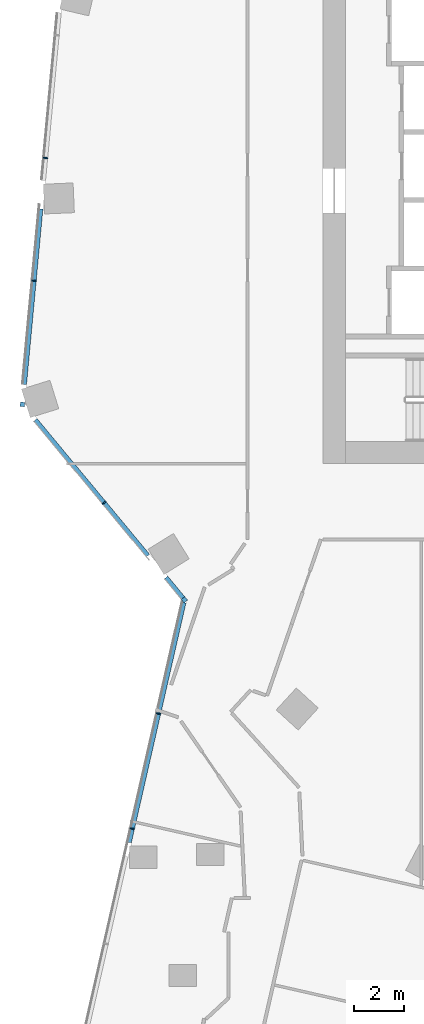
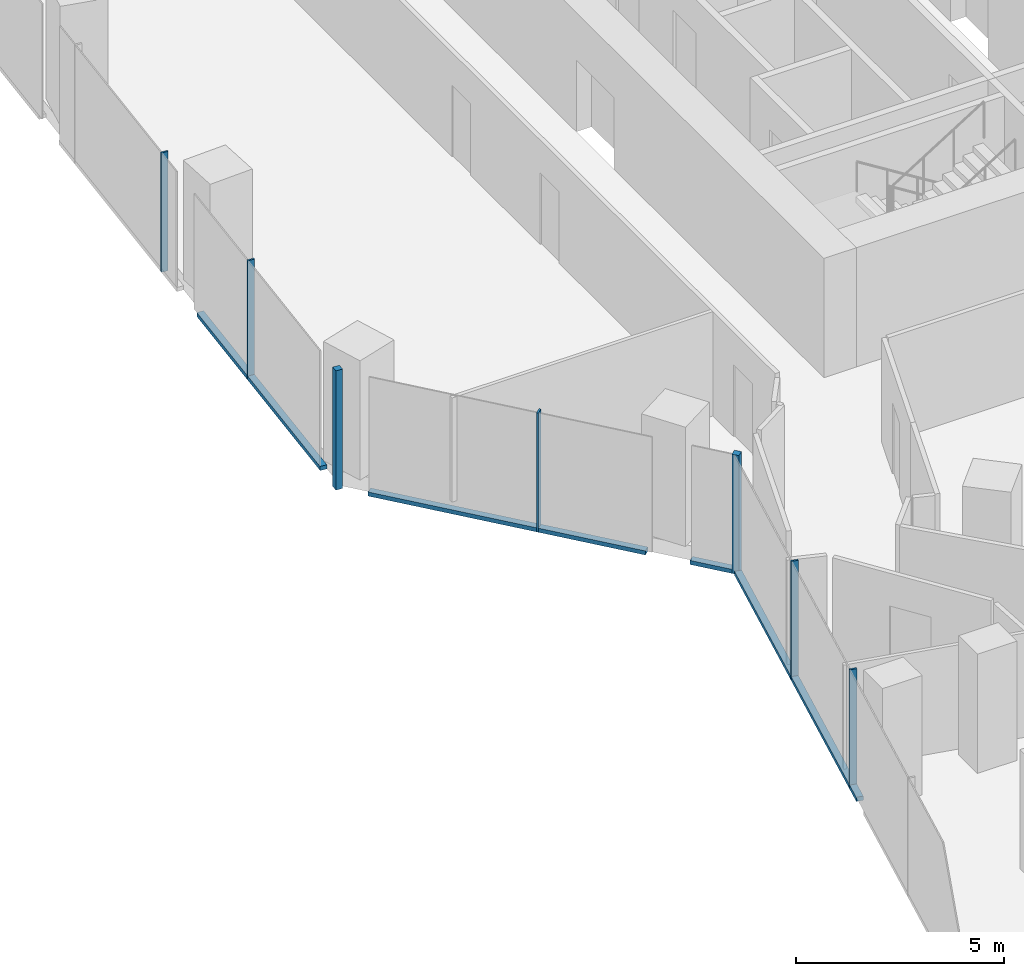
# One storey, part 7 of 24: 11 members, 3 elements without a shape of their own.
"""IFC4 building model written with IfcOpenShell, lengths in metres."""

from ifc_helpers import new_model, si_unit, direction, frame, origin, origin_2d, place, context, subcontext, project, spatial, rectangle, extrude, material, material_profile, profile_set, type_object, element, aggregate, save


model = new_model("IFC4")

# Units and contexts
model_context = context("Model", 3, precision=1e-05, world=origin(), true_north=direction((0.0, 1.0)))
body_context = subcontext(model_context, "Body", "Model", "MODEL_VIEW")
ifc_project = project(units=[si_unit("LENGTHUNIT", "METRE"), si_unit("AREAUNIT", "SQUARE_METRE"), si_unit("VOLUMEUNIT", "CUBIC_METRE"), si_unit("PLANEANGLEUNIT", "RADIAN"), si_unit("MASSUNIT", "GRAM", prefix="KILO")], contexts=[model_context])

# Site, building, storey
site_placement = place(None, origin())
site = spatial("IfcSite", under=ifc_project, at=site_placement, CompositionType="ELEMENT")
building_placement = place(site_placement, origin())
building = spatial("IfcBuilding", under=site, at=building_placement, Name="Orlundy Tower", CompositionType="ELEMENT")
storey_placement = place(building_placement, frame((0.0, 0.0, 177.60009765625)))
storey = spatial("IfcBuildingStorey", under=building, at=storey_placement, Name="L46", CompositionType="ELEMENT", Elevation=177.60009765625)

# Curtain wall, member
ifc_material_1 = material(Name="Aluminium bronze anodised", Category="aluminium")
curtain_wall_type = type_object("IfcCurtainWallType", Name="CW1 wall", PredefinedType="NOTDEFINED", material=ifc_material_1)
curtain_wall_1_placement = place(storey_placement, origin())
curtain_wall_1 = element("IfcCurtainWall", 1, at=curtain_wall_1_placement, inside=storey, type_object=curtain_wall_type, Name="CW1 run 01", PredefinedType="NOTDEFINED")
ifc_material_2 = material(Name="Aluminium bronze anodised", Category="aluminium")
ifc_material_profile_1 = material_profile(ifc_material_2, rectangle(XDim=0.179931640625, YDim=0.179931640625, at=origin_2d()), Name="CW1 corner post 180x180")
ifc_profile_set_1 = profile_set([ifc_material_profile_1], Name="Aluminium bronze anodised")
member_type_1 = type_object("IfcMemberType", Name="CW1 corner post 180x180", PredefinedType="MULLION", material=ifc_profile_set_1)
member_1_placement = place(storey_placement, frame((-24.588623046875, -17.4873046875, -0.420166015625), z_axis=(0.0, 0.0, 1.0), x_axis=(-0.769788399055, -0.638299162368, 0.0)))
member_1 = element("IfcMember", 2, at=member_1_placement, type_object=member_type_1, Name="CW1 mullion 7", PredefinedType="MULLION", context=body_context, shape_type="SweptSolid", body=[
    extrude(rectangle(XDim=0.179931640625, YDim=0.179931640625, at=origin_2d()), origin(), (0.0, 0.0, 1.0), 3.5),
])

curtain_wall_2_placement = place(storey_placement, origin())
curtain_wall_2 = element("IfcCurtainWall", 3, at=curtain_wall_2_placement, inside=storey, type_object=curtain_wall_type, Name="CW1 run 02", PredefinedType="NOTDEFINED")
member_2_placement = place(storey_placement, frame((-31.1181640625, -9.61279296875, -0.420166015625), z_axis=(0.0, 0.0, 1.0), x_axis=(-0.995670958136, 0.092948066811, 0.0)))
member_2 = element("IfcMember", 4, at=member_2_placement, type_object=member_type_1, Name="CW1 mullion 9", PredefinedType="MULLION", context=body_context, shape_type="SweptSolid", body=[
    extrude(rectangle(XDim=0.179931640625, YDim=0.179931640625, at=origin_2d()), origin(), (0.0, 0.0, 1.0), 3.5),
])

# Curtain wall, members
curtain_wall_3_placement = place(storey_placement, origin())
curtain_wall_3 = element("IfcCurtainWall", 5, at=curtain_wall_3_placement, inside=storey, type_object=curtain_wall_type, Name="CW1 run 00", PredefinedType="NOTDEFINED")
ifc_material_3 = material(Name="Aluminium bronze anodised", Category="aluminium")
ifc_material_profile_2 = material_profile(ifc_material_3, rectangle(XDim=0.179931640625, YDim=0.050048828125, at=origin_2d()), Name="CW1 mullion 50x180")
ifc_profile_set_2 = profile_set([ifc_material_profile_2], Name="Aluminium bronze anodised")
member_type_2 = type_object("IfcMemberType", Name="CW1 mullion 50x180", PredefinedType="MULLION", material=ifc_profile_set_2)
member_3_placement = place(storey_placement, frame((-26.691162109375, -26.71728515625, -0.420166015625), z_axis=(0.0, 0.0, 1.0), x_axis=(-0.97502463614, 0.222096733251, 0.0)))
member_3 = element("IfcMember", 6, at=member_3_placement, type_object=member_type_2, Name="CW1 mullion 5", PredefinedType="MULLION", context=body_context, shape_type="SweptSolid", body=[
    extrude(rectangle(XDim=0.179931640625, YDim=0.050048828125, at=origin_2d()), origin(), (0.0, 0.0, 1.0), 3.5),
])
member_4_placement = place(storey_placement, frame((-25.635009765625, -22.08056640625, -0.420166015625), z_axis=(0.0, 0.0, 1.0), x_axis=(-0.97502463614, 0.222096733251, 0.0)))
member_4 = element("IfcMember", 7, at=member_4_placement, type_object=member_type_2, Name="CW1 mullion 6", PredefinedType="MULLION", context=body_context, shape_type="SweptSolid", body=[
    extrude(rectangle(XDim=0.179931640625, YDim=0.050048828125, at=origin_2d()), origin(), (0.0, 0.0, 1.0), 3.5),
])

# Member
member_5_placement = place(storey_placement, frame((-27.827392578125, -13.58154296875, -0.420166015625), z_axis=(0.0, 0.0, 1.0), x_axis=(-0.769788399055, -0.638299162368, 0.0)))
member_5 = element("IfcMember", 8, at=member_5_placement, type_object=member_type_2, Name="CW1 mullion 8", PredefinedType="MULLION", context=body_context, shape_type="SweptSolid", body=[
    extrude(rectangle(XDim=0.179931640625, YDim=0.050048828125, at=origin_2d()), origin(), (0.0, 0.0, 1.0), 3.5),
])

member_6_placement = place(storey_placement, frame((-30.652587890625, -4.626708984375, -0.420166015625), z_axis=(0.0, 0.0, 1.0), x_axis=(-0.995670958136, 0.092948066811, 0.0)))
member_6 = element("IfcMember", 9, at=member_6_placement, type_object=member_type_2, Name="CW1 mullion 10", PredefinedType="MULLION", context=body_context, shape_type="SweptSolid", body=[
    extrude(rectangle(XDim=0.179931640625, YDim=0.050048828125, at=origin_2d()), origin(), (0.0, 0.0, 1.0), 3.5),
])

member_7_placement = place(storey_placement, frame((-30.190673828125, 0.322265625, -0.420166015625), z_axis=(0.0, 0.0, 1.0), x_axis=(-0.995670958136, 0.092948066811, 0.0)))
member_7 = element("IfcMember", 10, at=member_7_placement, type_object=member_type_2, Name="CW1 mullion 11", PredefinedType="MULLION", context=body_context, shape_type="SweptSolid", body=[
    extrude(rectangle(XDim=0.179931640625, YDim=0.050048828125, at=origin_2d()), origin(), (0.0, 0.0, 1.0), 3.5),
])

ifc_material_4 = material(Name="Aluminium bronze anodised", Category="aluminium")
ifc_material_profile_3 = material_profile(ifc_material_4, rectangle(XDim=0.179931640625, YDim=0.1201171875, at=origin_2d()), Name="CW1 transom 180x120")
ifc_profile_set_3 = profile_set([ifc_material_profile_3], Name="Aluminium bronze anodised")
member_type_3 = type_object("IfcMemberType", Name="CW1 transom 180x120", PredefinedType="USERDEFINED", material=ifc_profile_set_3)
member_8_placement = place(storey_placement, frame((-26.81640625, -27.26708984375, -0.360107421875), z_axis=(0.222109482771, 0.975021731893, 0.0), x_axis=(-0.975021731893, 0.222109482771, 0.0)))
member_8 = element("IfcMember", 11, at=member_8_placement, type_object=member_type_3, Name="CW1 transom", ObjectType="TRANSOM", PredefinedType="USERDEFINED", context=body_context, shape_type="SweptSolid", body=[
    extrude(rectangle(XDim=0.179931640625, YDim=0.1201171875, at=origin_2d()), origin(), (0.0, 0.0, 1.0), 9.9169921875),
])

aggregate(curtain_wall_3, [member_3, member_4, member_8])

member_9_placement = place(storey_placement, frame((-24.64599609375, -17.41796875, -0.360107421875), z_axis=(-0.638279962765, 0.769804318728, 0.0), x_axis=(-0.769804318728, -0.638279962765, 0.0)))
member_9 = element("IfcMember", 12, at=member_9_placement, type_object=member_type_3, Name="CW1 transom", ObjectType="TRANSOM", PredefinedType="USERDEFINED", context=body_context, shape_type="SweptSolid", body=[
    extrude(rectangle(XDim=0.179931640625, YDim=0.1201171875, at=origin_2d()), origin(), (0.0, 0.0, 1.0), 1.072998046875),
])

member_10_placement = place(storey_placement, frame((-26.0625, -15.709716796875, -0.360107421875), z_axis=(-0.63831452817, 0.769775657661, 0.0), x_axis=(-0.769775657661, -0.63831452817, 0.0)))
member_10 = element("IfcMember", 13, at=member_10_placement, type_object=member_type_3, Name="CW1 transom", ObjectType="TRANSOM", PredefinedType="USERDEFINED", context=body_context, shape_type="SweptSolid", body=[
    extrude(rectangle(XDim=0.179931640625, YDim=0.1201171875, at=origin_2d()), origin(), (0.0, 0.0, 1.0), 7.109130859375),
])

aggregate(curtain_wall_1, [member_1, member_5, member_9, member_10])

member_11_placement = place(storey_placement, frame((-31.04248046875, -8.803955078125, -0.360107421875), z_axis=(0.092945802311, 0.99567116953, 0.0), x_axis=(-0.99567116953, 0.092945802311, 0.0)))
member_11 = element("IfcMember", 14, at=member_11_placement, type_object=member_type_3, Name="CW1 transom", ObjectType="TRANSOM", PredefinedType="USERDEFINED", context=body_context, shape_type="SweptSolid", body=[
    extrude(rectangle(XDim=0.179931640625, YDim=0.1201171875, at=origin_2d()), origin(), (0.0, 0.0, 1.0), 7.105224609375),
])

aggregate(curtain_wall_2, [member_2, member_6, member_7, member_11])

save(model, "model.ifc")
